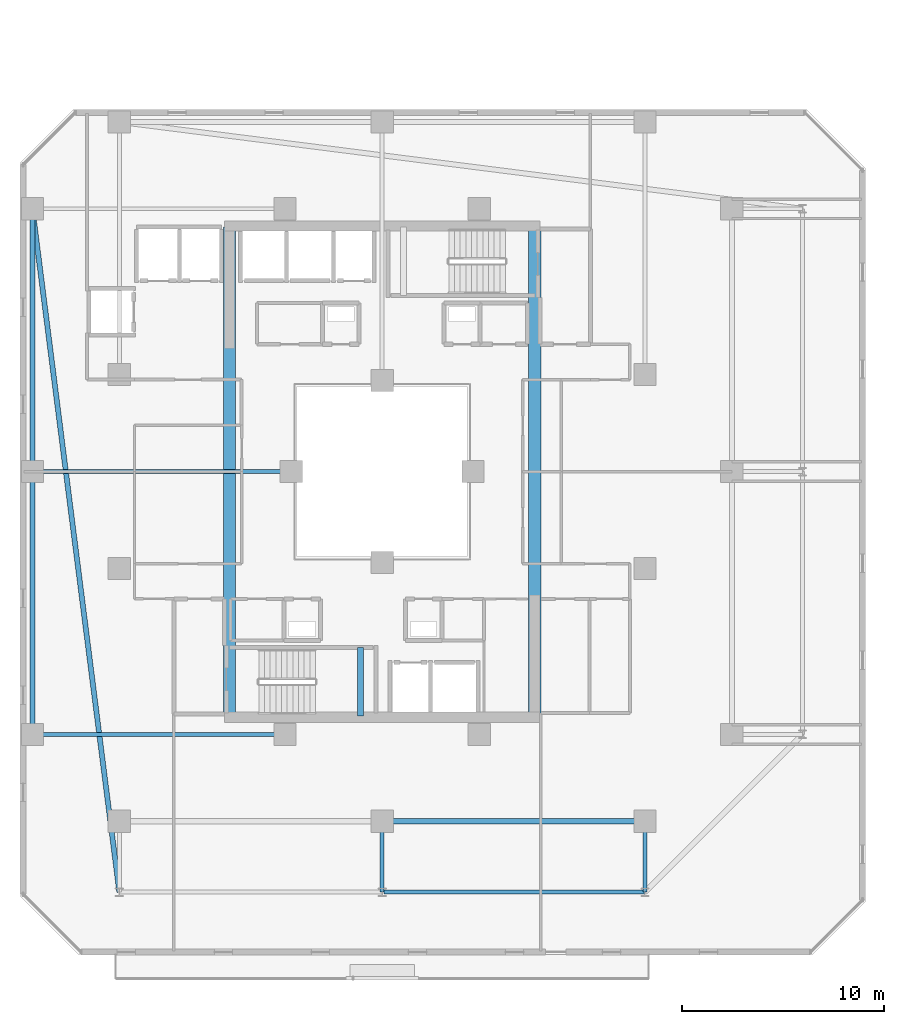
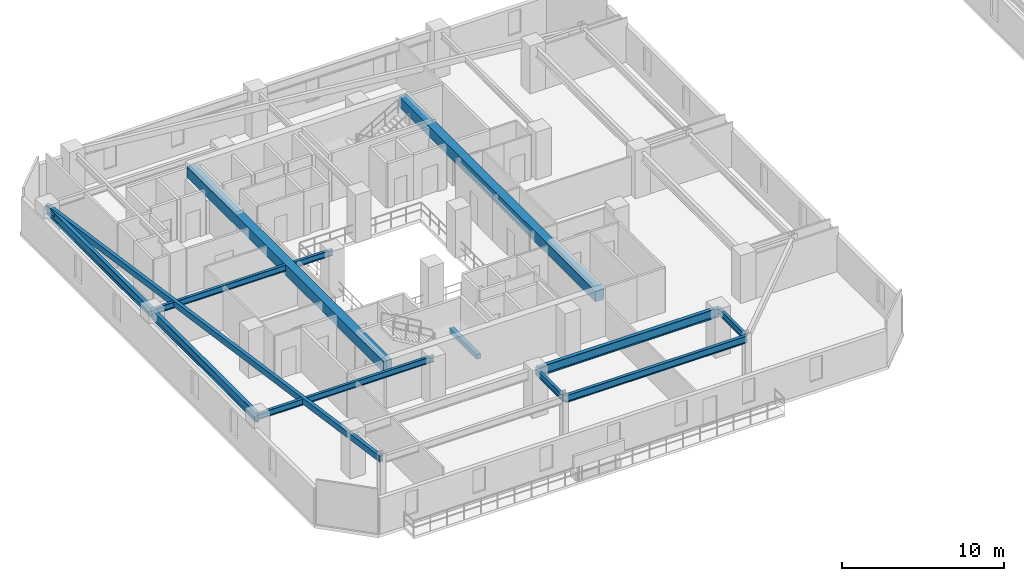
# One storey, part 4 of 33: 12 beams.
"""IFC4 building model written with IfcOpenShell, lengths in metres."""

from ifc_helpers import new_model, si_unit, direction, frame, origin, origin_2d, place, context, subcontext, project, spatial, rectangle, hollow_rectangle, i_section, extrude, material, material_profile, profile_set, type_object, element, save


model = new_model("IFC4")

# Units and contexts
model_context = context("Model", 3, precision=1e-05, world=origin(), true_north=direction((0.0, 1.0)))
body_context = subcontext(model_context, "Body", "Model", "MODEL_VIEW")
ifc_project = project(units=[si_unit("LENGTHUNIT", "METRE"), si_unit("AREAUNIT", "SQUARE_METRE"), si_unit("VOLUMEUNIT", "CUBIC_METRE"), si_unit("PLANEANGLEUNIT", "RADIAN"), si_unit("MASSUNIT", "GRAM", prefix="KILO")], contexts=[model_context])

# Site, building, storey
site_placement = place(None, origin())
site = spatial("IfcSite", under=ifc_project, at=site_placement, CompositionType="ELEMENT")
building_placement = place(site_placement, origin())
building = spatial("IfcBuilding", under=site, at=building_placement, Name="Thornwick Lancets Civic Towers", CompositionType="ELEMENT")
storey_placement = place(building_placement, frame((0.0, 0.0, 167.10009765625)))
storey = spatial("IfcBuildingStorey", under=building, at=storey_placement, Name="L44", CompositionType="ELEMENT", Elevation=167.10009765625)

# Beams
ifc_material_1 = material(Name="Concrete C60/75", Category="concrete")
ifc_material_profile_1 = material_profile(ifc_material_1, rectangle(XDim=0.60009765625, YDim=0.800048828125, at=origin_2d()), Name="RC 600x800")
ifc_profile_set_1 = profile_set([ifc_material_profile_1], Name="Concrete C60/75")
beam_type_1 = type_object("IfcBeamType", Name="BM_COUP_RC800", PredefinedType="BEAM", material=ifc_profile_set_1)
for number, where, z_axis, x_axis, name in (
    (1, (33.050048828125, 14.89990234375, 2.9599609375), (0.0, 1.0, 0.0), (-1.0, 0.0, 0.0), "CB-L44-A1"),
    (2, (17.949951171875, 14.89990234375, 2.9599609375), (0.0, 1.0, 0.0), (-1.0, 0.0, 0.0), "CB-L44-A2"),
):
    element("IfcBeam", number, at=place(storey_placement, frame(where, z_axis=z_axis, x_axis=x_axis)), inside=storey, type_object=beam_type_1, Name=name, PredefinedType="BEAM", context=body_context, shape_type="SweptSolid", body=[
        extrude(rectangle(XDim=0.60009765625, YDim=0.800048828125, at=origin_2d()), origin(), (0.0, 0.0, 1.0), 24.2001953125),
    ])
ifc_material_2 = material(Name="Steel S355JR", Category="steel")
ifc_material_profile_2 = material_profile(ifc_material_2, i_section(OverallWidth=0.210693359375, OverallDepth=0.53955078125, WebThickness=0.01171875, FlangeThickness=0.018798828125, FilletRadius=0.0126953125, at=origin_2d()), Name="UKB 533x210x109")
ifc_profile_set_2 = profile_set([ifc_material_profile_2], Name="Steel S355JR")
beam_type_2 = type_object("IfcBeamType", Name="BM_EDGE_533_109", PredefinedType="SPANDREL", material=ifc_profile_set_2)
beam_1_placement = place(storey_placement, frame((25.580078125, 6.199951171875, 3.090087890625), z_axis=(1.0, 0.0, 0.0), x_axis=(0.0, 1.0, 0.0)))
element("IfcBeam", 3, at=beam_1_placement, inside=storey, type_object=beam_type_2, Name="BM-EDGE-L44-A-S0-2", PredefinedType="SPANDREL", context=body_context, shape_type="SweptSolid", body=[
    extrude(i_section(OverallWidth=0.210693359375, OverallDepth=0.53955078125, WebThickness=0.01171875, FlangeThickness=0.018798828125, FilletRadius=0.0126953125, at=origin_2d()), origin(), (0.0, 0.0, 1.0), 12.919921875),
])
ifc_material_profile_3 = material_profile(ifc_material_2, i_section(OverallWidth=0.255859375, OverallDepth=0.69287109375, WebThickness=0.014404296875, FlangeThickness=0.023681640625, FilletRadius=0.01513671875, at=origin_2d()), Name="UKB 686x254x170")
ifc_profile_set_3 = profile_set([ifc_material_profile_3], Name="Steel S355JR")
beam_type_3 = type_object("IfcBeamType", Name="BM_GIRD_686_170", PredefinedType="BEAM", material=ifc_profile_set_3)
beam_2_placement = place(storey_placement, frame((25.580078125, 9.699951171875, 3.013427734375), z_axis=(1.0, 0.0, 0.0), x_axis=(0.0, 1.0, 0.0)))
element("IfcBeam", 4, at=beam_2_placement, inside=storey, type_object=beam_type_3, Name="BM-SPINE-L44-A-1-2", PredefinedType="BEAM", context=body_context, shape_type="SweptSolid", body=[
    extrude(i_section(OverallWidth=0.255859375, OverallDepth=0.69287109375, WebThickness=0.014404296875, FlangeThickness=0.023681640625, FilletRadius=0.01513671875, at=origin_2d()), origin(), (0.0, 0.0, 1.0), 12.919921875),
])
beam_3_placement = place(storey_placement, frame((8.199951171875, 14.0, 3.013427734375), z_axis=(0.0, 1.0, 0.0), x_axis=(-1.0, 0.0, 0.0)))
element("IfcBeam", 5, at=beam_3_placement, inside=storey, type_object=beam_type_3, Name="BM-SPINE-L44-A-9-10", PredefinedType="BEAM", context=body_context, shape_type="SweptSolid", body=[
    extrude(i_section(OverallWidth=0.255859375, OverallDepth=0.69287109375, WebThickness=0.014404296875, FlangeThickness=0.023681640625, FilletRadius=0.01513671875, at=origin_2d()), origin(), (0.0, 0.0, 1.0), 13.0),
])
beam_4_placement = place(storey_placement, frame((8.199951171875, 27.080078125, 3.013427734375), z_axis=(0.0, 1.0, 0.0), x_axis=(-1.0, 0.0, 0.0)))
element("IfcBeam", 6, at=beam_4_placement, inside=storey, type_object=beam_type_3, Name="BM-SPINE-L44-A-10-11", PredefinedType="BEAM", context=body_context, shape_type="SweptSolid", body=[
    extrude(i_section(OverallWidth=0.255859375, OverallDepth=0.69287109375, WebThickness=0.014404296875, FlangeThickness=0.023681640625, FilletRadius=0.01513671875, at=origin_2d()), origin(), (0.0, 0.0, 1.0), 12.919921875),
])
ifc_material_profile_4 = material_profile(ifc_material_2, i_section(OverallWidth=0.19189453125, OverallDepth=0.46337890625, WebThickness=0.010498046875, FlangeThickness=0.017578125, FilletRadius=0.01025390625, at=origin_2d()), Name="UKB 457x191x89")
ifc_profile_set_4 = profile_set([ifc_material_profile_4], Name="Steel S355JR")
beam_type_4 = type_object("IfcBeamType", Name="BM_JOIST_457_89", PredefinedType="JOIST", material=ifc_profile_set_4)
for number, where, z_axis, x_axis, name in (
    (7, (25.5, 9.699951171875, 3.128173828125), (0.0, -1.0, 0.0), (1.0, 0.0, 0.0), "BM-RAD-L44-A02"),
    (8, (38.5, 9.699951171875, 3.128173828125), (0.0, -1.0, 0.0), (1.0, 0.0, 0.0), "BM-RAD-L44-A03"),
):
    element("IfcBeam", number, at=place(storey_placement, frame(where, z_axis=z_axis, x_axis=x_axis)), inside=storey, type_object=beam_type_4, Name=name, PredefinedType="JOIST", context=body_context, shape_type="SweptSolid", body=[
        extrude(i_section(OverallWidth=0.19189453125, OverallDepth=0.46337890625, WebThickness=0.010498046875, FlangeThickness=0.017578125, FilletRadius=0.01025390625, at=origin_2d()), origin(), (0.0, 0.0, 1.0), 3.5),
    ])
beam_5_placement = place(storey_placement, frame((20.699951171875, 14.0, 3.128173828125), z_axis=(-1.0, 0.0, 0.0), x_axis=(0.0, -1.0, 0.0)))
element("IfcBeam", 9, at=beam_5_placement, inside=storey, type_object=beam_type_4, Name="BM-RADIN-L44-A10", PredefinedType="JOIST", context=body_context, shape_type="SweptSolid", body=[
    extrude(i_section(OverallWidth=0.19189453125, OverallDepth=0.46337890625, WebThickness=0.010498046875, FlangeThickness=0.017578125, FilletRadius=0.01025390625, at=origin_2d()), origin(), (0.0, 0.0, 1.0), 12.5),
])
beam_6_placement = place(storey_placement, frame((21.0, 27.0, 3.128173828125), z_axis=(-1.0, 0.0, 0.0), x_axis=(0.0, -1.0, 0.0)))
element("IfcBeam", 10, at=beam_6_placement, inside=storey, type_object=beam_type_4, Name="BM-RADIN-L44-A11", PredefinedType="JOIST", context=body_context, shape_type="SweptSolid", body=[
    extrude(i_section(OverallWidth=0.19189453125, OverallDepth=0.46337890625, WebThickness=0.010498046875, FlangeThickness=0.017578125, FilletRadius=0.01025390625, at=origin_2d()), origin(), (0.0, 0.0, 1.0), 12.800048828125),
])
ifc_material_profile_5 = material_profile(ifc_material_2, hollow_rectangle(XDim=0.25, YDim=0.449951171875, WallThickness=0.01611328125, at=origin_2d()), Name="RHS 450x250x16")
ifc_profile_set_5 = profile_set([ifc_material_profile_5], Name="Steel S355JR")
beam_type_5 = type_object("IfcBeamType", Name="BM_RING_RHS450", PredefinedType="BEAM", material=ifc_profile_set_5)
beam_7_placement = place(storey_placement, frame((8.199951171875, 40.0, 3.135009765625), z_axis=(0.126202998662, -0.992004437051, 0.0), x_axis=(0.992004437051, 0.126202998662, 0.0)))
element("IfcBeam", 11, at=beam_7_placement, inside=storey, type_object=beam_type_5, Name="BM-CHAMF-L44-A-C3", PredefinedType="BEAM", context=body_context, shape_type="SweptSolid", body=[
    extrude(hollow_rectangle(XDim=0.25, YDim=0.449951171875, WallThickness=0.01611328125, at=origin_2d()), origin(), (0.0, 0.0, 1.0), 34.072509765625),
])
ifc_material_3 = material(Name="Concrete C40/50", Category="concrete")
ifc_material_profile_6 = material_profile(ifc_material_3, rectangle(XDim=0.300048828125, YDim=0.35009765625, at=origin_2d()), Name="RC 300x350")
ifc_profile_set_6 = profile_set([ifc_material_profile_6], Name="Concrete C40/50")
beam_type_6 = type_object("IfcBeamType", Name="BM_STAIR_LDG", PredefinedType="BEAM", material=ifc_profile_set_6)
beam_8_placement = place(storey_placement, frame((24.43505859375, 14.89990234375, 1.3779296875), z_axis=(0.0, 1.0, 0.0), x_axis=(-1.0, 0.0, 0.0)))
element("IfcBeam", 12, at=beam_8_placement, inside=storey, type_object=beam_type_6, Name="L44 ST-A1 Landing Support Beam 1", PredefinedType="BEAM", context=body_context, shape_type="SweptSolid", body=[
    extrude(rectangle(XDim=0.300048828125, YDim=0.35009765625, at=origin_2d()), origin(), (0.0, 0.0, 1.0), 3.400146484375),
])

save(model, "model.ifc")
